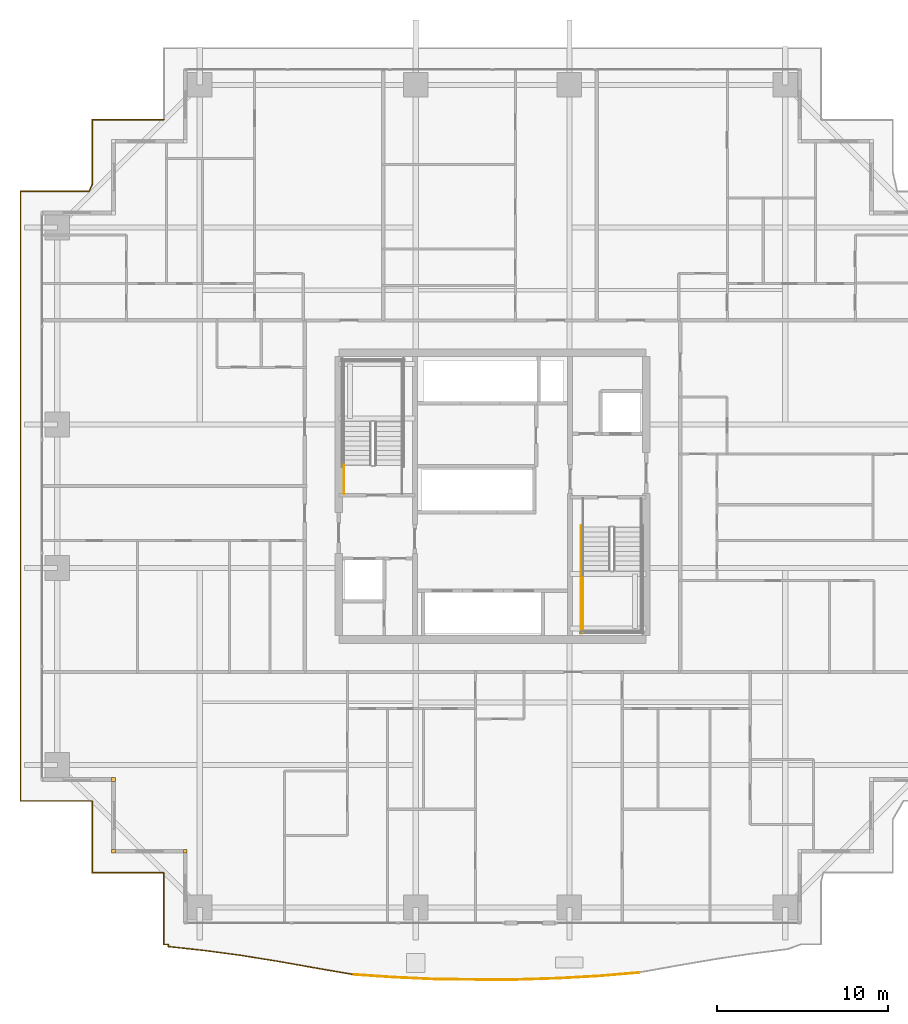
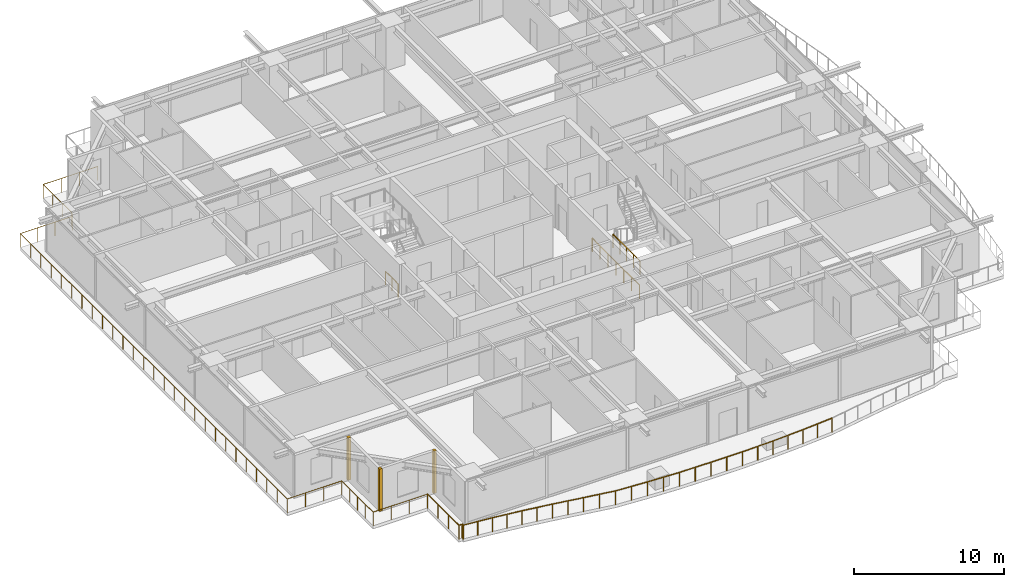
# One storey, part 34 of 39: 6 railings, 3 coverings.
"""IFC4 building model written with IfcOpenShell, lengths in metres."""

from ifc_helpers import new_model, si_unit, direction, frame, origin, origin_2d, place, context, subcontext, project, spatial, rectangle, circle, extrude, source, transform, mapped, material, layer, layer_set, type_object, element, save


model = new_model("IFC4")

# Units and contexts
model_context = context("Model", 3, precision=1e-05, world=origin(), true_north=direction((0.0, 1.0)))
body_context = subcontext(model_context, "Body", "Model", "MODEL_VIEW")
ifc_project = project(units=[si_unit("LENGTHUNIT", "METRE"), si_unit("AREAUNIT", "SQUARE_METRE"), si_unit("VOLUMEUNIT", "CUBIC_METRE"), si_unit("PLANEANGLEUNIT", "RADIAN"), si_unit("MASSUNIT", "GRAM", prefix="KILO")], contexts=[model_context])

# Site, building, storey
site_placement = place(None, origin())
site = spatial("IfcSite", under=ifc_project, at=site_placement, CompositionType="ELEMENT")
building_placement = place(site_placement, origin())
building = spatial("IfcBuilding", under=site, at=building_placement, Name="Serunith Strait Residences", CompositionType="ELEMENT")
storey_placement = place(building_placement, frame((0.0, 0.0, 49.199951171875)))
storey = spatial("IfcBuildingStorey", under=building, at=storey_placement, Name="L11", CompositionType="ELEMENT", Elevation=49.199951171875)

# Railings
ifc_material_1 = material(Name="Stainless Steel & Laminated Glass Balustrade", Category="steel")
railing_type_1 = type_object("IfcRailingType", Name="RLG-BALC-1150", PredefinedType="BALUSTRADE", material=ifc_material_1)
railing_1_placement = place(storey_placement, frame((13.139892578125, 3.139892578125, -0.050048828125)))
element("IfcRailing", 1, at=railing_1_placement, inside=storey, type_object=railing_type_1, Name="L11 Swirling Balcony Perimeter Balustrade 1", PredefinedType="BALUSTRADE", context=body_context, shape_type="SweptSolid", body=[
    extrude(circle(Radius=0.02392578125, at=origin_2d()), frame((-0.001953125, 0.0, 1.1259765625), z_axis=(-1.0, 0.0, 0.0), x_axis=(0.0, -1.0, 0.0)), (0.0, 0.0, 1.0), 4.196044921875),
    extrude(circle(Radius=0.02392578125, at=origin_2d()), frame((-4.199951171875, 0.001953125, 1.1259765625), z_axis=(0.0, 1.0, 0.0), x_axis=(-1.0, 0.0, 0.0)), (0.0, 0.0, 1.0), 4.1962890625),
    extrude(circle(Radius=0.02392578125, at=origin_2d()), frame((-4.201904296875, 4.2001953125, 1.1259765625), z_axis=(-1.0, 0.0, 0.0), x_axis=(0.0, -1.0, 0.0)), (0.0, 0.0, 1.0), 4.196044921875),
    extrude(circle(Radius=0.02392578125, at=origin_2d()), frame((-8.39990234375, 4.2021484375, 1.1259765625), z_axis=(0.0, 1.0, 0.0), x_axis=(-1.0, 0.0, 0.0)), (0.0, 0.0, 1.0), 35.716064453125),
    extrude(circle(Radius=0.02392578125, at=origin_2d()), frame((-8.39794921875, 39.920166015625, 1.1259765625), z_axis=(1.0, 0.0, 0.0), x_axis=(0.0, 1.0, 0.0)), (0.0, 0.0, 1.0), 4.014892578125),
    extrude(circle(Radius=0.02392578125, at=origin_2d()), frame((-4.38037109375, 39.921875, 1.1259765625), z_axis=(0.414518347731, 0.91004095479, 0.0), x_axis=(-0.91004095479, 0.414518347731, 0.0)), (0.0, 0.0, 1.0), 0.43310546875),
    extrude(circle(Radius=0.02392578125, at=origin_2d()), frame((-4.199951171875, 40.31982421875, 1.1259765625), z_axis=(0.0, 1.0, 0.0), x_axis=(-1.0, 0.0, 0.0)), (0.0, 0.0, 1.0), 3.79833984375),
    extrude(circle(Radius=0.02392578125, at=origin_2d()), frame((-4.197998046875, 44.1201171875, 1.1259765625), z_axis=(1.0, 0.0, 0.0), x_axis=(0.0, 1.0, 0.0)), (0.0, 0.0, 1.0), 4.196044921875),
    extrude(circle(Radius=0.02099609375, at=origin_2d()), origin(), (0.0, 0.0, 1.0), 1.099853515625),
    extrude(circle(Radius=0.02099609375, at=origin_2d()), frame((-1.39990234375, 0.0, 0.0)), (0.0, 0.0, 1.0), 1.099853515625),
    extrude(circle(Radius=0.02099609375, at=origin_2d()), frame((-2.800048828125, 0.0, 0.0)), (0.0, 0.0, 1.0), 1.099853515625),
    extrude(circle(Radius=0.02099609375, at=origin_2d()), frame((-4.199951171875, 0.0, 0.0)), (0.0, 0.0, 1.0), 1.099853515625),
    extrude(circle(Radius=0.02099609375, at=origin_2d()), frame((-4.199951171875, 1.050048828125, 0.0)), (0.0, 0.0, 1.0), 1.099853515625),
    extrude(circle(Radius=0.02099609375, at=origin_2d()), frame((-4.199951171875, 2.10009765625, 0.0)), (0.0, 0.0, 1.0), 1.099853515625),
    extrude(circle(Radius=0.02099609375, at=origin_2d()), frame((-4.199951171875, 3.150146484375, 0.0)), (0.0, 0.0, 1.0), 1.099853515625),
    extrude(circle(Radius=0.02099609375, at=origin_2d()), frame((-4.199951171875, 4.2001953125, 0.0)), (0.0, 0.0, 1.0), 1.099853515625),
    extrude(circle(Radius=0.02099609375, at=origin_2d()), frame((-5.599853515625, 4.2001953125, 0.0)), (0.0, 0.0, 1.0), 1.099853515625),
    extrude(circle(Radius=0.02099609375, at=origin_2d()), frame((-7.0, 4.2001953125, 0.0)), (0.0, 0.0, 1.0), 1.099853515625),
    extrude(circle(Radius=0.02099609375, at=origin_2d()), frame((-8.39990234375, 4.2001953125, 0.0)), (0.0, 0.0, 1.0), 1.099853515625),
    extrude(circle(Radius=0.02099609375, at=origin_2d()), frame((-8.39990234375, 5.573974609375, 0.0)), (0.0, 0.0, 1.0), 1.099853515625),
    extrude(circle(Radius=0.02099609375, at=origin_2d()), frame((-8.39990234375, 6.947998046875, 0.0)), (0.0, 0.0, 1.0), 1.099853515625),
    extrude(circle(Radius=0.02099609375, at=origin_2d()), frame((-8.39990234375, 8.32177734375, 0.0)), (0.0, 0.0, 1.0), 1.099853515625),
    extrude(circle(Radius=0.02099609375, at=origin_2d()), frame((-8.39990234375, 9.695556640625, 0.0)), (0.0, 0.0, 1.0), 1.099853515625),
    extrude(circle(Radius=0.02099609375, at=origin_2d()), frame((-8.39990234375, 11.0693359375, 0.0)), (0.0, 0.0, 1.0), 1.099853515625),
    extrude(circle(Radius=0.02099609375, at=origin_2d()), frame((-8.39990234375, 12.443359375, 0.0)), (0.0, 0.0, 1.0), 1.099853515625),
    extrude(circle(Radius=0.02099609375, at=origin_2d()), frame((-8.39990234375, 13.817138671875, 0.0)), (0.0, 0.0, 1.0), 1.099853515625),
    extrude(circle(Radius=0.02099609375, at=origin_2d()), frame((-8.39990234375, 15.19091796875, 0.0)), (0.0, 0.0, 1.0), 1.099853515625),
    extrude(circle(Radius=0.02099609375, at=origin_2d()), frame((-8.39990234375, 16.564697265625, 0.0)), (0.0, 0.0, 1.0), 1.099853515625),
    extrude(circle(Radius=0.02099609375, at=origin_2d()), frame((-8.39990234375, 17.938720703125, 0.0)), (0.0, 0.0, 1.0), 1.099853515625),
    extrude(circle(Radius=0.02099609375, at=origin_2d()), frame((-8.39990234375, 19.3125, 0.0)), (0.0, 0.0, 1.0), 1.099853515625),
    extrude(circle(Radius=0.02099609375, at=origin_2d()), frame((-8.39990234375, 20.686279296875, 0.0)), (0.0, 0.0, 1.0), 1.099853515625),
    extrude(circle(Radius=0.02099609375, at=origin_2d()), frame((-8.39990234375, 22.06005859375, 0.0)), (0.0, 0.0, 1.0), 1.099853515625),
    extrude(circle(Radius=0.02099609375, at=origin_2d()), frame((-8.39990234375, 23.43408203125, 0.0)), (0.0, 0.0, 1.0), 1.099853515625),
    extrude(circle(Radius=0.02099609375, at=origin_2d()), frame((-8.39990234375, 24.807861328125, 0.0)), (0.0, 0.0, 1.0), 1.099853515625),
    extrude(circle(Radius=0.02099609375, at=origin_2d()), frame((-8.39990234375, 26.181640625, 0.0)), (0.0, 0.0, 1.0), 1.099853515625),
    extrude(circle(Radius=0.02099609375, at=origin_2d()), frame((-8.39990234375, 27.5556640625, 0.0)), (0.0, 0.0, 1.0), 1.099853515625),
    extrude(circle(Radius=0.02099609375, at=origin_2d()), frame((-8.39990234375, 28.929443359375, 0.0)), (0.0, 0.0, 1.0), 1.099853515625),
    extrude(circle(Radius=0.02099609375, at=origin_2d()), frame((-8.39990234375, 30.30322265625, 0.0)), (0.0, 0.0, 1.0), 1.099853515625),
    extrude(circle(Radius=0.02099609375, at=origin_2d()), frame((-8.39990234375, 31.677001953125, 0.0)), (0.0, 0.0, 1.0), 1.099853515625),
    extrude(circle(Radius=0.02099609375, at=origin_2d()), frame((-8.39990234375, 33.051025390625, 0.0)), (0.0, 0.0, 1.0), 1.099853515625),
    extrude(circle(Radius=0.02099609375, at=origin_2d()), frame((-8.39990234375, 34.4248046875, 0.0)), (0.0, 0.0, 1.0), 1.099853515625),
    extrude(circle(Radius=0.02099609375, at=origin_2d()), frame((-8.39990234375, 35.798583984375, 0.0)), (0.0, 0.0, 1.0), 1.099853515625),
    extrude(circle(Radius=0.02099609375, at=origin_2d()), frame((-8.39990234375, 37.17236328125, 0.0)), (0.0, 0.0, 1.0), 1.099853515625),
    extrude(circle(Radius=0.02099609375, at=origin_2d()), frame((-8.39990234375, 38.54638671875, 0.0)), (0.0, 0.0, 1.0), 1.099853515625),
    extrude(circle(Radius=0.02099609375, at=origin_2d()), frame((-8.39990234375, 39.920166015625, 0.0)), (0.0, 0.0, 1.0), 1.099853515625),
    extrude(circle(Radius=0.02099609375, at=origin_2d()), frame((-7.060302734375, 39.920166015625, 0.0)), (0.0, 0.0, 1.0), 1.099853515625),
    extrude(circle(Radius=0.02099609375, at=origin_2d()), frame((-5.720703125, 39.920166015625, 0.0)), (0.0, 0.0, 1.0), 1.099853515625),
    extrude(circle(Radius=0.02099609375, at=origin_2d()), frame((-4.381103515625, 39.920166015625, 0.0)), (0.0, 0.0, 1.0), 1.099853515625),
    extrude(circle(Radius=0.02099609375, at=origin_2d()), frame((-4.199951171875, 40.31787109375, 0.0)), (0.0, 0.0, 1.0), 1.099853515625),
    extrude(circle(Radius=0.02099609375, at=origin_2d()), frame((-4.199951171875, 41.585205078125, 0.0)), (0.0, 0.0, 1.0), 1.099853515625),
    extrude(circle(Radius=0.02099609375, at=origin_2d()), frame((-4.199951171875, 42.852783203125, 0.0)), (0.0, 0.0, 1.0), 1.099853515625),
    extrude(circle(Radius=0.02099609375, at=origin_2d()), frame((-4.199951171875, 44.1201171875, 0.0)), (0.0, 0.0, 1.0), 1.099853515625),
    extrude(circle(Radius=0.02099609375, at=origin_2d()), frame((-2.800048828125, 44.1201171875, 0.0)), (0.0, 0.0, 1.0), 1.099853515625),
    extrude(circle(Radius=0.02099609375, at=origin_2d()), frame((-1.39990234375, 44.1201171875, 0.0)), (0.0, 0.0, 1.0), 1.099853515625),
    extrude(circle(Radius=0.02099609375, at=origin_2d()), frame((0.0, 44.1201171875, 0.0)), (0.0, 0.0, 1.0), 1.099853515625),
])
railing_2_placement = place(storey_placement, frame((40.99658203125, -2.711181640625, -0.050048828125)))
element("IfcRailing", 2, at=railing_2_placement, inside=storey, type_object=railing_type_1, Name="L11 Swirling Balcony Perimeter Balustrade 7", PredefinedType="BALUSTRADE", context=body_context, shape_type="SweptSolid", body=[
    extrude(circle(Radius=0.02392578125, at=origin_2d()), frame((-0.001953125, -0.000244140625, 1.1259765625), z_axis=(-0.99642460797, -0.084486689086, 0.0), x_axis=(0.084486689086, -0.99642460797, 0.0)), (0.0, 0.0, 1.0), 2.35107421875),
    extrude(circle(Radius=0.02392578125, at=origin_2d()), frame((-2.3486328125, -0.198974609375, 1.1259765625), z_axis=(-0.998407812669, -0.056407797344, 0.0), x_axis=(0.056407797344, -0.998407812669, 0.0)), (0.0, 0.0, 1.0), 2.389404296875),
    extrude(circle(Radius=0.02392578125, at=origin_2d()), frame((-4.73828125, -0.333984375, 1.1259765625), z_axis=(-0.999519047975, -0.031010848684, 0.0), x_axis=(0.031010848684, -0.999519047975, 0.0)), (0.0, 0.0, 1.0), 2.412841796875),
    extrude(circle(Radius=0.02392578125, at=origin_2d()), frame((-7.154052734375, -0.408935546875, 1.1259765625), z_axis=(-1.0, 0.0, 0.0), x_axis=(0.0, -1.0, 0.0)), (0.0, 0.0, 1.0), 2.423095703125),
    extrude(circle(Radius=0.02392578125, at=origin_2d()), frame((-9.5810546875, -0.408935546875, 1.1259765625), z_axis=(-0.999942926612, 0.010683797019, 0.0), x_axis=(-0.010683797019, -0.999942926612, 0.0)), (0.0, 0.0, 1.0), 2.418212890625),
    extrude(circle(Radius=0.02392578125, at=origin_2d()), frame((-12.003173828125, -0.383056640625, 1.1259765625), z_axis=(-0.998931566214, 0.046213915875, 0.0), x_axis=(-0.046213915875, -0.998931566214, 0.0)), (0.0, 0.0, 1.0), 2.399658203125),
    extrude(circle(Radius=0.02392578125, at=origin_2d()), frame((-14.404296875, -0.271728515625, 1.1259765625), z_axis=(-0.997691779017, 0.067905184506, 0.0), x_axis=(-0.067905184506, -0.997691779017, 0.0)), (0.0, 0.0, 1.0), 2.368896484375),
    extrude(circle(Radius=0.02099609375, at=origin_2d()), origin(), (0.0, 0.0, 1.0), 1.099853515625),
    extrude(circle(Radius=0.02099609375, at=origin_2d()), frame((-1.17333984375, -0.099609375, 0.0)), (0.0, 0.0, 1.0), 1.099853515625),
    extrude(circle(Radius=0.02099609375, at=origin_2d()), frame((-2.3466796875, -0.198974609375, 0.0)), (0.0, 0.0, 1.0), 1.099853515625),
    extrude(circle(Radius=0.02099609375, at=origin_2d()), frame((-3.54150390625, -0.2666015625, 0.0)), (0.0, 0.0, 1.0), 1.099853515625),
    extrude(circle(Radius=0.02099609375, at=origin_2d()), frame((-4.736328125, -0.333984375, 0.0)), (0.0, 0.0, 1.0), 1.099853515625),
    extrude(circle(Radius=0.02099609375, at=origin_2d()), frame((-5.9443359375, -0.37158203125, 0.0)), (0.0, 0.0, 1.0), 1.099853515625),
    extrude(circle(Radius=0.02099609375, at=origin_2d()), frame((-7.152099609375, -0.408935546875, 0.0)), (0.0, 0.0, 1.0), 1.099853515625),
    extrude(circle(Radius=0.02099609375, at=origin_2d()), frame((-8.36572265625, -0.408935546875, 0.0)), (0.0, 0.0, 1.0), 1.099853515625),
    extrude(circle(Radius=0.02099609375, at=origin_2d()), frame((-9.5791015625, -0.408935546875, 0.0)), (0.0, 0.0, 1.0), 1.099853515625),
    extrude(circle(Radius=0.02099609375, at=origin_2d()), frame((-10.7900390625, -0.39599609375, 0.0)), (0.0, 0.0, 1.0), 1.099853515625),
    extrude(circle(Radius=0.02099609375, at=origin_2d()), frame((-12.001220703125, -0.383056640625, 0.0)), (0.0, 0.0, 1.0), 1.099853515625),
    extrude(circle(Radius=0.02099609375, at=origin_2d()), frame((-13.20166015625, -0.32763671875, 0.0)), (0.0, 0.0, 1.0), 1.099853515625),
    extrude(circle(Radius=0.02099609375, at=origin_2d()), frame((-14.40234375, -0.27197265625, 0.0)), (0.0, 0.0, 1.0), 1.099853515625),
    extrude(circle(Radius=0.02099609375, at=origin_2d()), frame((-15.5859375, -0.19140625, 0.0)), (0.0, 0.0, 1.0), 1.099853515625),
    extrude(circle(Radius=0.02099609375, at=origin_2d()), frame((-16.769775390625, -0.11083984375, 0.0)), (0.0, 0.0, 1.0), 1.099853515625),
])
railing_3_placement = place(storey_placement, frame((24.226806640625, -2.822021484375, -0.050048828125)))
element("IfcRailing", 3, at=railing_3_placement, inside=storey, type_object=railing_type_1, Name="L11 Swirling Balcony Perimeter Balustrade 8", PredefinedType="BALUSTRADE", context=body_context, shape_type="SweptSolid", body=[
    extrude(circle(Radius=0.02392578125, at=origin_2d()), frame((-0.001953125, 0.000244140625, 1.1259765625), z_axis=(-0.985473055451, 0.169831849136, 0.0), x_axis=(-0.169831849136, -0.985473055451, 0.0)), (0.0, 0.0, 1.0), 2.283203125),
    extrude(circle(Radius=0.02392578125, at=origin_2d()), frame((-2.255859375, 0.388671875, 1.1259765625), z_axis=(-0.984575972503, 0.174957578773, 0.0), x_axis=(-0.174957578773, -0.984575972503, 0.0)), (0.0, 0.0, 1.0), 2.217529296875),
    extrude(circle(Radius=0.02392578125, at=origin_2d()), frame((-4.443115234375, 0.77734375, 1.1259765625), z_axis=(-0.987462356827, 0.157854660524, 0.0), x_axis=(-0.157854660524, -0.987462356827, 0.0)), (0.0, 0.0, 1.0), 2.1689453125),
    extrude(circle(Radius=0.02392578125, at=origin_2d()), frame((-6.5888671875, 1.120361328125, 1.1259765625), z_axis=(-0.991106086317, 0.133074135972, 0.0), x_axis=(-0.133074135972, -0.991106086317, 0.0)), (0.0, 0.0, 1.0), 2.138916015625),
    extrude(circle(Radius=0.02392578125, at=origin_2d()), frame((-8.712646484375, 1.405517578125, 1.1259765625), z_axis=(-0.994269161305, 0.106905728927, 0.0), x_axis=(-0.106905728927, -0.994269161305, 0.0)), (0.0, 0.0, 1.0), 2.12451171875),
    extrude(circle(Radius=0.02392578125, at=origin_2d()), frame((-10.826904296875, 1.634765625, 1.1259765625), z_axis=(0.007561220518, 0.999971413564, 0.0), x_axis=(-0.999971413564, 0.007561220518, 0.0)), (0.0, 0.0, 1.0), 0.125244140625),
    extrude(circle(Radius=0.02392578125, at=origin_2d()), frame((-10.827880859375, 1.761962890625, 1.1259765625), z_axis=(-1.0, 0.0, 0.0), x_axis=(0.0, -1.0, 0.0)), (0.0, 0.0, 1.0), 0.257080078125),
    extrude(circle(Radius=0.02392578125, at=origin_2d()), frame((-11.0869140625, 1.763916015625, 1.1259765625), z_axis=(0.0, 1.0, 0.0), x_axis=(-1.0, 0.0, 0.0)), (0.0, 0.0, 1.0), 4.196044921875),
    extrude(circle(Radius=0.02099609375, at=origin_2d()), origin(), (0.0, 0.0, 1.0), 1.099853515625),
    extrude(circle(Radius=0.02099609375, at=origin_2d()), frame((-1.126953125, 0.1943359375, 0.0)), (0.0, 0.0, 1.0), 1.099853515625),
    extrude(circle(Radius=0.02099609375, at=origin_2d()), frame((-2.25390625, 0.388427734375, 0.0)), (0.0, 0.0, 1.0), 1.099853515625),
    extrude(circle(Radius=0.02099609375, at=origin_2d()), frame((-3.34765625, 0.582763671875, 0.0)), (0.0, 0.0, 1.0), 1.099853515625),
    extrude(circle(Radius=0.02099609375, at=origin_2d()), frame((-4.441162109375, 0.777099609375, 0.0)), (0.0, 0.0, 1.0), 1.099853515625),
    extrude(circle(Radius=0.02099609375, at=origin_2d()), frame((-5.51416015625, 0.94873046875, 0.0)), (0.0, 0.0, 1.0), 1.099853515625),
    extrude(circle(Radius=0.02099609375, at=origin_2d()), frame((-6.5869140625, 1.1201171875, 0.0)), (0.0, 0.0, 1.0), 1.099853515625),
    extrude(circle(Radius=0.02099609375, at=origin_2d()), frame((-7.64892578125, 1.2626953125, 0.0)), (0.0, 0.0, 1.0), 1.099853515625),
    extrude(circle(Radius=0.02099609375, at=origin_2d()), frame((-8.710693359375, 1.4052734375, 0.0)), (0.0, 0.0, 1.0), 1.099853515625),
    extrude(circle(Radius=0.02099609375, at=origin_2d()), frame((-9.768798828125, 1.51904296875, 0.0)), (0.0, 0.0, 1.0), 1.099853515625),
    extrude(circle(Radius=0.02099609375, at=origin_2d()), frame((-10.826904296875, 1.6328125, 0.0)), (0.0, 0.0, 1.0), 1.099853515625),
    extrude(circle(Radius=0.02099609375, at=origin_2d()), frame((-10.825927734375, 1.761962890625, 0.0)), (0.0, 0.0, 1.0), 1.099853515625),
    extrude(circle(Radius=0.02099609375, at=origin_2d()), frame((-11.0869140625, 1.761962890625, 0.0)), (0.0, 0.0, 1.0), 1.099853515625),
    extrude(circle(Radius=0.02099609375, at=origin_2d()), frame((-11.0869140625, 3.161865234375, 0.0)), (0.0, 0.0, 1.0), 1.099853515625),
    extrude(circle(Radius=0.02099609375, at=origin_2d()), frame((-11.0869140625, 4.56201171875, 0.0)), (0.0, 0.0, 1.0), 1.099853515625),
    extrude(circle(Radius=0.02099609375, at=origin_2d()), frame((-11.0869140625, 5.9619140625, 0.0)), (0.0, 0.0, 1.0), 1.099853515625),
])
ifc_material_2 = material(Name="Brushed stainless steel 316L", Category="steel")
railing_type_2 = type_object("IfcRailingType", Name="RLG-STAIR-GUARD", PredefinedType="BALUSTRADE", material=ifc_material_2)
railing_4_placement = place(storey_placement, frame((23.699951171875, 25.35009765625, 0.0)))
element("IfcRailing", 4, at=railing_4_placement, inside=storey, type_object=railing_type_2, Name="L11 ST-1 stair guard 9", PredefinedType="BALUSTRADE", context=body_context, shape_type="SweptSolid", body=[
    extrude(circle(Radius=0.02392578125, at=origin_2d()), frame((0.0, 0.001953125, 1.076171875), z_axis=(0.0, 1.0, 0.0), x_axis=(-1.0, 0.0, 0.0)), (0.0, 0.0, 1.0), 1.676025390625),
    extrude(circle(Radius=0.02099609375, at=origin_2d()), origin(), (0.0, 0.0, 1.0), 1.050048828125),
    extrude(circle(Radius=0.02099609375, at=origin_2d()), frame((0.0, 0.83984375, 0.0)), (0.0, 0.0, 1.0), 1.050048828125),
    extrude(circle(Radius=0.02099609375, at=origin_2d()), frame((0.0, 1.679931640625, 0.0)), (0.0, 0.0, 1.0), 1.050048828125),
])
railing_5_placement = place(storey_placement, frame((37.699951171875, 20.85009765625, 1.875)))
element("IfcRailing", 5, at=railing_5_placement, inside=storey, type_object=railing_type_2, Name="L11 ST-2 stair guard 3", PredefinedType="BALUSTRADE", context=body_context, shape_type="SweptSolid", body=[
    extrude(circle(Radius=0.02392578125, at=origin_2d()), frame((0.0, -0.001953125, 1.076171875), z_axis=(0.0, -1.0, 0.0), x_axis=(1.0, 0.0, 0.0)), (0.0, 0.0, 1.0), 3.59619140625),
    extrude(circle(Radius=0.02099609375, at=origin_2d()), origin(), (0.0, 0.0, 1.0), 1.050048828125),
    extrude(circle(Radius=0.02099609375, at=origin_2d()), frame((0.0, -0.89990234375, 0.0)), (0.0, 0.0, 1.0), 1.050048828125),
    extrude(circle(Radius=0.02099609375, at=origin_2d()), frame((0.0, -1.800048828125, 0.0)), (0.0, 0.0, 1.0), 1.050048828125),
    extrude(circle(Radius=0.02099609375, at=origin_2d()), frame((0.0, -2.7001953125, 0.0)), (0.0, 0.0, 1.0), 1.050048828125),
    extrude(circle(Radius=0.02099609375, at=origin_2d()), frame((0.0, -3.60009765625, 0.0)), (0.0, 0.0, 1.0), 1.050048828125),
])
railing_6_placement = place(storey_placement, frame((37.60009765625, 23.469970703125, 0.0)))
element("IfcRailing", 6, at=railing_6_placement, inside=storey, type_object=railing_type_2, Name="L11 ST-2 stair guard 10", PredefinedType="BALUSTRADE", context=body_context, shape_type="SweptSolid", body=[
    extrude(circle(Radius=0.02392578125, at=origin_2d()), frame((0.0, -0.001953125, 1.076171875), z_axis=(0.0, -1.0, 0.0), x_axis=(1.0, 0.0, 0.0)), (0.0, 0.0, 1.0), 6.316162109375),
    extrude(circle(Radius=0.02099609375, at=origin_2d()), origin(), (0.0, 0.0, 1.0), 1.050048828125),
    extrude(circle(Radius=0.02099609375, at=origin_2d()), frame((0.0, -1.05322265625, 0.0)), (0.0, 0.0, 1.0), 1.050048828125),
    extrude(circle(Radius=0.02099609375, at=origin_2d()), frame((0.0, -2.106689453125, 0.0)), (0.0, 0.0, 1.0), 1.050048828125),
    extrude(circle(Radius=0.02099609375, at=origin_2d()), frame((0.0, -3.16015625, 0.0)), (0.0, 0.0, 1.0), 1.050048828125),
    extrude(circle(Radius=0.02099609375, at=origin_2d()), frame((0.0, -4.21337890625, 0.0)), (0.0, 0.0, 1.0), 1.050048828125),
    extrude(circle(Radius=0.02099609375, at=origin_2d()), frame((0.0, -5.2666015625, 0.0)), (0.0, 0.0, 1.0), 1.050048828125),
    extrude(circle(Radius=0.02099609375, at=origin_2d()), frame((0.0, -6.320068359375, 0.0)), (0.0, 0.0, 1.0), 1.050048828125),
])

# Coverings
ifc_material_3 = material(Name="Pale-Champagne Anodised Aluminium", Category="aluminium")
ifc_layer = layer(ifc_material_3, 0.219970703125, Name="Pale-Champagne Anodised Aluminium")
ifc_layer_set = layer_set([ifc_layer], Name="Pale-Champagne Anodised Aluminium")
covering_type = type_object("IfcCoveringType", Name="COV-CORN-TRIM", PredefinedType="CLADDING", material=ifc_layer_set)
shared_shape = source(origin(), body_context, "Body", "SweptSolid", [
    extrude(rectangle(XDim=0.221923828125, YDim=0.221923828125, at=origin_2d()), origin(), (0.0, 0.0, 1.0), 3.47509765625),
])
for number, where, z_axis, x_axis, name in (
    (7, (10.199951171875, 8.60009765625, 0.0), (0.0, 0.0, 1.0), (1.0, 0.0, 0.0), "L11 Girih Serrated Corner Trim Post 17"),
    (8, (10.199951171875, 4.39990234375, 0.0), (0.0, 0.0, 1.0), (1.0, 0.0, 0.0), "L11 Girih Serrated Corner Trim Post 18"),
    (9, (14.39990234375, 4.39990234375, 0.0), (0.0, 0.0, 1.0), (1.0, 0.0, 0.0), "L11 Girih Serrated Corner Trim Post 19"),
):
    element("IfcCovering", number, at=place(storey_placement, frame(where, z_axis=z_axis, x_axis=x_axis)), inside=storey, type_object=covering_type, Name=name, PredefinedType="CLADDING", context=body_context, shape_type="MappedRepresentation", body=[
        mapped(shared_shape, transform((0.0, 0.0, 0.0), scale=1.0)),
    ])

save(model, "model.ifc")
